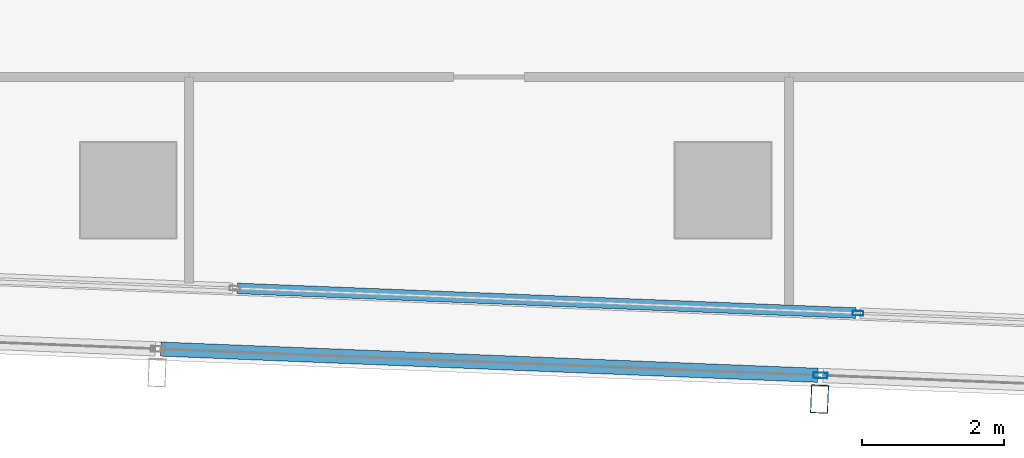
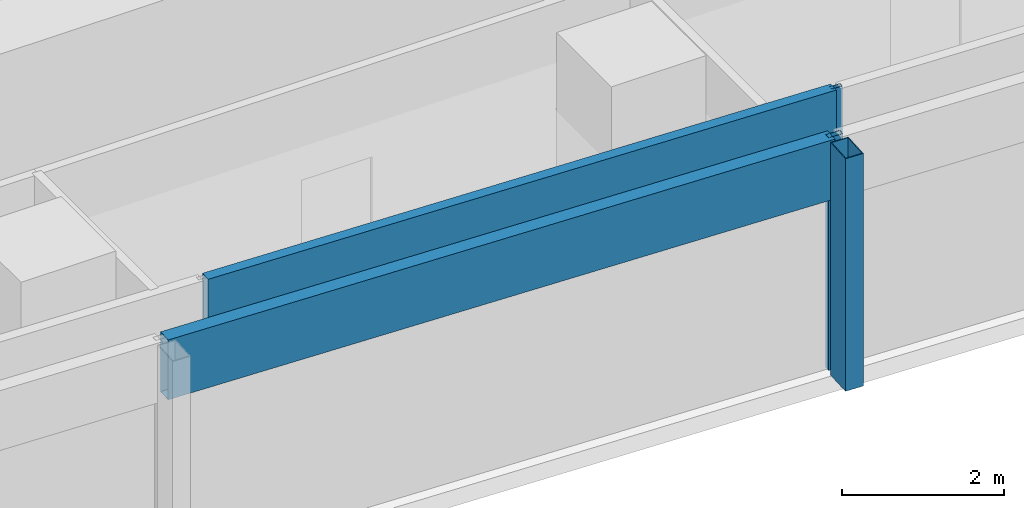
# One storey, part 7 of 40: 5 members, 2 elements without a shape of their own.
"""IFC4 building model written with IfcOpenShell, lengths in metres."""

from ifc_helpers import new_model, si_unit, direction, frame, origin, origin_2d, place, context, subcontext, project, spatial, hollow_rectangle, extrude, material, material_profile, profile_set, type_object, element, aggregate, save


model = new_model("IFC4")

# Units and contexts
model_context = context("Model", 3, precision=1e-05, world=origin(), true_north=direction((0.0, 1.0)))
body_context = subcontext(model_context, "Body", "Model", "MODEL_VIEW")
ifc_project = project(units=[si_unit("LENGTHUNIT", "METRE"), si_unit("AREAUNIT", "SQUARE_METRE"), si_unit("VOLUMEUNIT", "CUBIC_METRE"), si_unit("PLANEANGLEUNIT", "RADIAN"), si_unit("MASSUNIT", "GRAM", prefix="KILO")], contexts=[model_context])

# Site, building, storey
site_placement = place(None, origin())
site = spatial("IfcSite", under=ifc_project, at=site_placement, CompositionType="ELEMENT")
building_placement = place(site_placement, origin())
building = spatial("IfcBuilding", under=site, at=building_placement, Name="Rekha Terrace Tower", CompositionType="ELEMENT")
storey_placement = place(building_placement, frame((0.0, 0.0, 213.949951171875)))
storey = spatial("IfcBuildingStorey", under=building, at=storey_placement, Name="L54", CompositionType="ELEMENT", Elevation=213.949951171875)

# Curtain wall, member
ifc_material_1 = material(Name="Aluminium framing", Category="aluminium")
curtain_wall_type_1 = type_object("IfcCurtainWallType", Name="CW2 double skin outer glazing", PredefinedType="USERDEFINED", material=ifc_material_1)
curtain_wall_1_placement = place(storey_placement, origin())
curtain_wall_1 = element("IfcCurtainWall", 1, at=curtain_wall_1_placement, inside=storey, type_object=curtain_wall_type_1, Name="CW2 double skin outer glazing", ObjectType="DOUBLE SKIN OUTER GLAZING", PredefinedType="USERDEFINED")
ifc_material_2 = material(Name="Steel S355 with fluorocarbon finish", Category="steel")
ifc_material_profile_1 = material_profile(ifc_material_2, hollow_rectangle(XDim=0.25, YDim=0.39990234375, WallThickness=0.012451171875, at=origin_2d()), Name="RHS400x250x12.5")
ifc_profile_set_1 = profile_set([ifc_material_profile_1], Name="Steel S355 with fluorocarbon finish")
member_type_1 = type_object("IfcMemberType", Name="BL1 facade blade RHS 400 x 250", PredefinedType="USERDEFINED", material=ifc_profile_set_1)
member_1_placement = place(storey_placement, frame((34.9638671875, 13.84912109375, 0.0), z_axis=(0.0, 0.0, 1.0), x_axis=(0.999204797763, -0.039871946621, 0.0)))
member_1 = element("IfcMember", 2, at=member_1_placement, type_object=member_type_1, Name="Facade blade", ObjectType="FACADE BLADE", PredefinedType="USERDEFINED", context=body_context, shape_type="SweptSolid", body=[
    extrude(hollow_rectangle(XDim=0.25, YDim=0.39990234375, WallThickness=0.012451171875, at=origin_2d()), origin(), (0.0, 0.0, 1.0), 3.5),
])

# Curtain wall, members
curtain_wall_type_2 = type_object("IfcCurtainWallType", Name="CW1 double skin inner glazing", PredefinedType="USERDEFINED", material=ifc_material_1)
curtain_wall_2_placement = place(storey_placement, origin())
curtain_wall_2 = element("IfcCurtainWall", 3, at=curtain_wall_2_placement, inside=storey, type_object=curtain_wall_type_2, Name="CW1 double skin inner glazing", ObjectType="DOUBLE SKIN INNER GLAZING", PredefinedType="USERDEFINED")
ifc_material_3 = material(Name="Aluminium mullion section", Category="aluminium")
ifc_material_profile_2 = material_profile(ifc_material_3, hollow_rectangle(XDim=0.06494140625, YDim=0.14990234375, WallThickness=0.00390625, at=origin_2d()), Name="AL RHS 65x150")
ifc_profile_set_2 = profile_set([ifc_material_profile_2], Name="Aluminium mullion section")
member_type_2 = type_object("IfcMemberType", Name="CW1 mullion RHS 65 x 150", PredefinedType="MULLION", material=ifc_profile_set_2)
member_2_placement = place(storey_placement, frame((35.507568359375, 15.063232421875, 0.0), z_axis=(0.0, 0.0, 1.0), x_axis=(0.039872497061, 0.999204775798, 0.0)))
member_2 = element("IfcMember", 4, at=member_2_placement, type_object=member_type_2, Name="CW1 mullion 4", PredefinedType="MULLION", context=body_context, shape_type="SweptSolid", body=[
    extrude(hollow_rectangle(XDim=0.06494140625, YDim=0.14990234375, WallThickness=0.00390625, at=origin_2d()), origin(), (0.0, 0.0, 1.0), 3.5),
])
ifc_material_4 = material(Name="Insulated aluminium spandrel box", Category="aluminium")
ifc_material_profile_3 = material_profile(ifc_material_4, hollow_rectangle(XDim=0.14990234375, YDim=0.89990234375, WallThickness=0.0029296875, at=origin_2d()), Name="AL SPANDREL BOX 150x900")
ifc_profile_set_3 = profile_set([ifc_material_profile_3], Name="Insulated aluminium spandrel box")
member_type_3 = type_object("IfcMemberType", Name="CW1 spandrel transom 150 x 900", PredefinedType="USERDEFINED", material=ifc_profile_set_3)
member_3_placement = place(storey_placement, frame((26.73583984375, 15.413330078125, 3.050048828125), z_axis=(0.999205233714, -0.039861020051, 0.0), x_axis=(0.039861020051, 0.999205233714, 0.0)))
member_3 = element("IfcMember", 5, at=member_3_placement, type_object=member_type_3, Name="CW1 spandrel transom 3", ObjectType="TRANSOM", PredefinedType="USERDEFINED", context=body_context, shape_type="SweptSolid", body=[
    extrude(hollow_rectangle(XDim=0.14990234375, YDim=0.89990234375, WallThickness=0.0029296875, at=origin_2d()), origin(), (0.0, 0.0, 1.0), 8.74609375),
])
aggregate(curtain_wall_2, [member_2, member_3])

# Member
ifc_material_profile_4 = material_profile(ifc_material_3, hollow_rectangle(XDim=0.080078125, YDim=0.199951171875, WallThickness=0.00390625, at=origin_2d()), Name="AL RHS 80x200")
ifc_profile_set_4 = profile_set([ifc_material_profile_4], Name="Aluminium mullion section")
member_type_4 = type_object("IfcMemberType", Name="CW2 mullion RHS 80 x 200", PredefinedType="MULLION", material=ifc_profile_set_4)
member_4_placement = place(storey_placement, frame((34.97705078125, 14.183837890625, 0.0), z_axis=(0.0, 0.0, 1.0), x_axis=(0.039872497044, 0.999204775799, 0.0)))
member_4 = element("IfcMember", 6, at=member_4_placement, type_object=member_type_4, Name="CW2 mullion 4", PredefinedType="MULLION", context=body_context, shape_type="SweptSolid", body=[
    extrude(hollow_rectangle(XDim=0.080078125, YDim=0.199951171875, WallThickness=0.00390625, at=origin_2d()), origin(), (0.0, 0.0, 1.0), 3.5),
])

ifc_material_profile_5 = material_profile(ifc_material_4, hollow_rectangle(XDim=0.199951171875, YDim=0.89990234375, WallThickness=0.0029296875, at=origin_2d()), Name="AL SPANDREL BOX 200x900")
ifc_profile_set_5 = profile_set([ifc_material_profile_5], Name="Insulated aluminium spandrel box")
member_type_5 = type_object("IfcMemberType", Name="CW2 spandrel transom 200 x 900", PredefinedType="USERDEFINED", material=ifc_profile_set_5)
member_5_placement = place(storey_placement, frame((25.658447265625, 14.5556640625, 3.050048828125), z_axis=(0.999204356934, -0.039882992408, 0.0), x_axis=(0.039882992408, 0.999204356934, 0.0)))
member_5 = element("IfcMember", 7, at=member_5_placement, type_object=member_type_5, Name="CW2 spandrel transom 3", ObjectType="TRANSOM", PredefinedType="USERDEFINED", context=body_context, shape_type="SweptSolid", body=[
    extrude(hollow_rectangle(XDim=0.199951171875, YDim=0.89990234375, WallThickness=0.0029296875, at=origin_2d()), origin(), (0.0, 0.0, 1.0), 9.2861328125),
])

aggregate(curtain_wall_1, [member_4, member_5, member_1])

save(model, "model.ifc")
